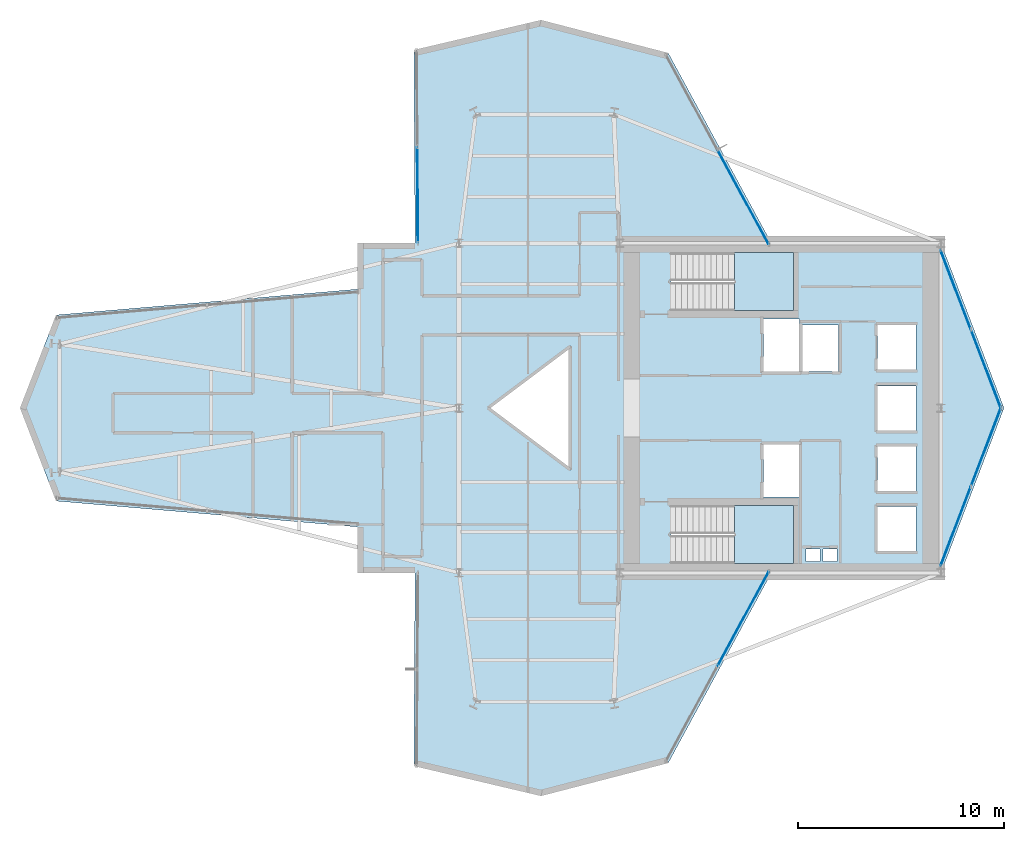
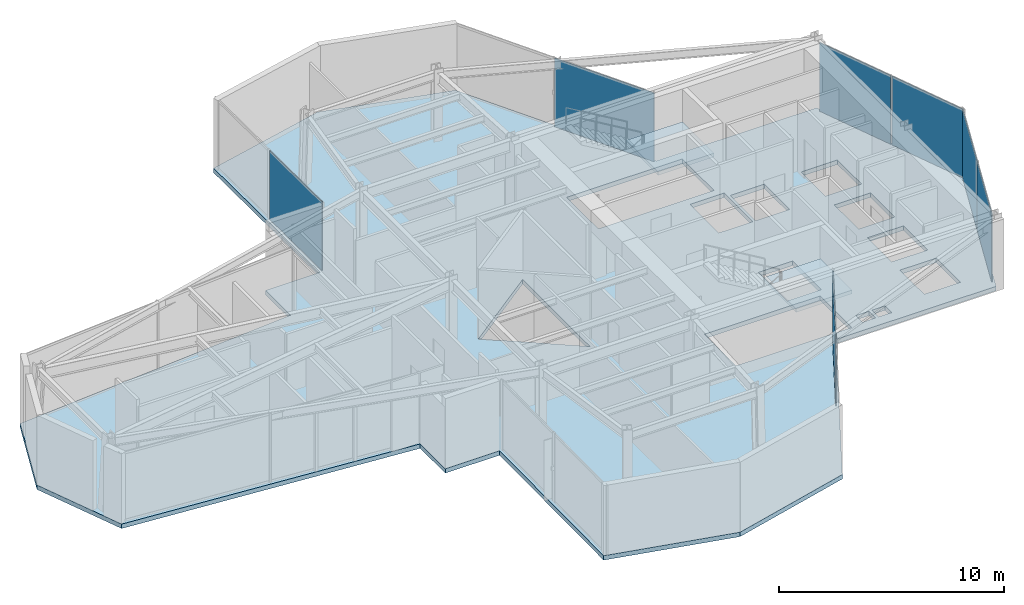
# One storey, part 21 of 26: 7 plates, 3 slabs, 7 elements without a shape of their own.
"""IFC4 building model written with IfcOpenShell, lengths in metres."""

from ifc_helpers import new_model, si_unit, direction, frame, origin, origin_2d, place, context, subcontext, project, spatial, polyline, rectangle, outline, extrude, material, layer, layer_set, type_object, element, aggregate, save


model = new_model("IFC4")

# Units and contexts
model_context = context("Model", 3, precision=1e-05, world=origin(), true_north=direction((0.0, 1.0)))
body_context = subcontext(model_context, "Body", "Model", "MODEL_VIEW")
ifc_project = project(units=[si_unit("LENGTHUNIT", "METRE"), si_unit("AREAUNIT", "SQUARE_METRE"), si_unit("VOLUMEUNIT", "CUBIC_METRE"), si_unit("PLANEANGLEUNIT", "RADIAN"), si_unit("MASSUNIT", "GRAM", prefix="KILO")], contexts=[model_context])

# Site, building, storey
site_placement = place(None, origin())
site = spatial("IfcSite", under=ifc_project, at=site_placement, CompositionType="ELEMENT")
building_placement = place(site_placement, origin())
building = spatial("IfcBuilding", under=site, at=building_placement, Name="Veymaron Broadcast Tower", CompositionType="ELEMENT")
storey_placement = place(building_placement, frame((0.0, 0.0, 157.35009765625)))
storey = spatial("IfcBuildingStorey", under=building, at=storey_placement, Name="L36", CompositionType="ELEMENT", Elevation=157.35009765625)

# Curtain wall, plates
ifc_material_1 = material(Name="Anodised aluminium AA 6063-T6 and laminated low-E dark glass", Category="aluminium")
ifc_layer_1 = layer(ifc_material_1, 0.179931640625)
ifc_layer_set_1 = layer_set([ifc_layer_1], Name="Anodised aluminium AA 6063-T6 and laminated low-E dark glass")
curtain_wall_type = type_object("IfcCurtainWallType", Name="CW-SYS-03", PredefinedType="NOTDEFINED", material=ifc_layer_set_1)
curtain_wall_1_placement = place(storey_placement, origin())
curtain_wall_1 = element("IfcCurtainWall", 1, at=curtain_wall_1_placement, inside=storey, type_object=curtain_wall_type, Name="L36 dark-glass curtain wall CW-L36-E2-1", PredefinedType="NOTDEFINED")
ifc_material_2 = material(Name="Insulated dark-anodised aluminium spandrel panel 40 mm", Category="aluminium")
ifc_layer_2 = layer(ifc_material_2, 0.0400390625)
ifc_layer_set_2 = layer_set([ifc_layer_2], Name="Insulated dark-anodised aluminium spandrel panel 40 mm")
plate_type = type_object("IfcPlateType", Name="CW-PNL-03", PredefinedType="CURTAIN_PANEL", material=ifc_layer_set_2)
plate_1_placement = place(storey_placement, frame((55.305908203125, 18.239013671875, 0.039794921875), z_axis=(0.0, 0.0, 1.0), x_axis=(0.35701516766, 0.934098586906, 0.0)))
plate_1 = element("IfcPlate", 2, at=plate_1_placement, type_object=plate_type, Name="CW-L36-E2-1 unitised curtain panel 0", PredefinedType="CURTAIN_PANEL", context=body_context, shape_type="SweptSolid", body=[
    extrude(rectangle(XDim=4.08740234375, YDim=0.0400390625, at=origin_2d()), origin(), (0.0, 0.0, 1.0), 3.72998046875),
])
plate_2_placement = place(storey_placement, frame((56.78662109375, 22.113037109375, 0.039794921875), z_axis=(0.0, 0.0, 1.0), x_axis=(0.35701516766, 0.934098586906, 0.0)))
plate_2 = element("IfcPlate", 3, at=plate_2_placement, type_object=plate_type, Name="CW-L36-E2-1 unitised curtain panel 1", PredefinedType="CURTAIN_PANEL", context=body_context, shape_type="SweptSolid", body=[
    extrude(rectangle(XDim=4.08740234375, YDim=0.0400390625, at=origin_2d()), origin(), (0.0, 0.0, 1.0), 3.72998046875),
])
aggregate(curtain_wall_1, [plate_1, plate_2])

curtain_wall_2_placement = place(storey_placement, origin())
curtain_wall_2 = element("IfcCurtainWall", 4, at=curtain_wall_2_placement, inside=storey, type_object=curtain_wall_type, Name="L36 dark-glass curtain wall CW-L36-E3-1", PredefinedType="NOTDEFINED")
plate_3_placement = place(storey_placement, frame((56.78662109375, 25.886962890625, 0.039794921875), z_axis=(0.0, 0.0, 1.0), x_axis=(-0.35701516766, 0.934098586906, 0.0)))
plate_3 = element("IfcPlate", 5, at=plate_3_placement, type_object=plate_type, Name="CW-L36-E3-1 unitised curtain panel 0", PredefinedType="CURTAIN_PANEL", context=body_context, shape_type="SweptSolid", body=[
    extrude(rectangle(XDim=4.08740234375, YDim=0.0400390625, at=origin_2d()), origin(), (0.0, 0.0, 1.0), 3.72998046875),
])
plate_4_placement = place(storey_placement, frame((55.305908203125, 29.760986328125, 0.039794921875), z_axis=(0.0, 0.0, 1.0), x_axis=(-0.35701516766, 0.934098586906, 0.0)))
plate_4 = element("IfcPlate", 6, at=plate_4_placement, type_object=plate_type, Name="CW-L36-E3-1 unitised curtain panel 1", PredefinedType="CURTAIN_PANEL", context=body_context, shape_type="SweptSolid", body=[
    extrude(rectangle(XDim=4.08740234375, YDim=0.0400390625, at=origin_2d()), origin(), (0.0, 0.0, 1.0), 3.72998046875),
])
aggregate(curtain_wall_2, [plate_3, plate_4])

# Curtain wall, plate
curtain_wall_3_placement = place(storey_placement, origin())
curtain_wall_3 = element("IfcCurtainWall", 7, at=curtain_wall_3_placement, inside=storey, type_object=curtain_wall_type, Name="L36 dark-glass curtain wall CW-L36-E5-1", PredefinedType="NOTDEFINED")
plate_5_placement = place(storey_placement, frame((44.991455078125, 34.239990234375, 0.039794921875), z_axis=(0.0, 0.0, 1.0), x_axis=(-0.476821283546, 0.879000263685, 0.0)))
plate_5 = element("IfcPlate", 8, at=plate_5_placement, type_object=plate_type, Name="CW-L36-E5-1 unitised curtain panel 0", PredefinedType="CURTAIN_PANEL", context=body_context, shape_type="SweptSolid", body=[
    extrude(rectangle(XDim=5.188720703125, YDim=0.0400390625, at=origin_2d()), origin(), (0.0, 0.0, 1.0), 3.72998046875),
])
aggregate(curtain_wall_3, [plate_5])

curtain_wall_4_placement = place(storey_placement, origin())
curtain_wall_4 = element("IfcCurtainWall", 9, at=curtain_wall_4_placement, inside=storey, type_object=curtain_wall_type, Name="L36 dark-glass curtain wall CW-L36-E8-1", PredefinedType="NOTDEFINED")
plate_6_placement = place(storey_placement, frame((29.18896484375, 34.34423828125, 0.039794921875), z_axis=(0.0, 0.0, 1.0), x_axis=(0.006824184408, -0.999976714982, 0.0)))
plate_6 = element("IfcPlate", 10, at=plate_6_placement, type_object=plate_type, Name="CW-L36-E8-1 unitised curtain panel 1", PredefinedType="CURTAIN_PANEL", context=body_context, shape_type="SweptSolid", body=[
    extrude(rectangle(XDim=4.62646484375, YDim=0.0400390625, at=origin_2d()), origin(), (0.0, 0.0, 1.0), 3.72998046875),
])
aggregate(curtain_wall_4, [plate_6])

curtain_wall_5_placement = place(storey_placement, origin())
curtain_wall_5 = element("IfcCurtainWall", 11, at=curtain_wall_5_placement, inside=storey, type_object=curtain_wall_type, Name="L36 dark-glass curtain wall CW-L36-E20-1", PredefinedType="NOTDEFINED")
plate_7_placement = place(storey_placement, frame((44.991455078125, 13.760009765625, 0.039794921875), z_axis=(0.0, 0.0, 1.0), x_axis=(0.476821283546, 0.879000263685, 0.0)))
plate_7 = element("IfcPlate", 12, at=plate_7_placement, type_object=plate_type, Name="CW-L36-E20-1 unitised curtain panel 1", PredefinedType="CURTAIN_PANEL", context=body_context, shape_type="SweptSolid", body=[
    extrude(rectangle(XDim=5.188720703125, YDim=0.0400390625, at=origin_2d()), origin(), (0.0, 0.0, 1.0), 3.72998046875),
])
aggregate(curtain_wall_5, [plate_7])

# Slab
ifc_material_3 = material(Name="Concrete C40/50", Category="concrete")
ifc_layer_3 = layer(ifc_material_3, 0.239990234375)
ifc_layer_set_3 = layer_set([ifc_layer_3], Name="Concrete C40/50")
slab_type_1 = type_object("IfcSlabType", Name="SLAB-FS6", PredefinedType="FLOOR", material=ifc_layer_set_3)
slab_1_placement = place(storey_placement, frame((0.0, 0.0, -0.239990234375)))
element("IfcSlab", 13, at=slab_1_placement, inside=storey, type_object=slab_type_1, Name="L36 structural floor slab", PredefinedType="FLOOR", context=body_context, shape_type="SweptSolid", body=[
    extrude(outline(polyline([(46.365966796875, 16.0), (54.60009765625, 16.0), (57.65771484375, 24.0), (54.60009765625, 32.0), (46.365966796875, 32.0), (41.360595703125, 41.227294921875), (35.180908203125, 42.828857421875), (29.0009765625, 41.372802734375), (29.06494140625, 32.0), (26.2705078125, 32.0), (26.2705078125, 29.770751953125), (11.639892578125, 28.51611328125), (9.892822265625, 24.0), (11.639892578125, 19.48388671875), (26.2705078125, 18.229248046875), (26.2705078125, 16.0), (29.06494140625, 16.0), (29.0009765625, 6.627197265625), (35.180908203125, 5.171142578125), (41.360595703125, 6.772705078125), (46.365966796875, 16.0)]), holes=[polyline([(45.969970703125, 28.330078125), (47.72998046875, 28.330078125), (47.72998046875, 25.77001953125), (45.969970703125, 25.77001953125), (45.969970703125, 28.330078125)]), polyline([(45.969970703125, 22.22998046875), (47.72998046875, 22.22998046875), (47.72998046875, 19.669921875), (45.969970703125, 19.669921875), (45.969970703125, 22.22998046875)]), polyline([(47.8701171875, 28.030029296875), (49.6298828125, 28.030029296875), (49.6298828125, 25.77001953125), (47.8701171875, 25.77001953125), (47.8701171875, 28.030029296875)]), polyline([(51.52001953125, 28.030029296875), (53.3798828125, 28.030029296875), (53.3798828125, 25.8701171875), (51.52001953125, 25.8701171875), (51.52001953125, 28.030029296875)]), polyline([(51.52001953125, 22.1298828125), (53.3798828125, 22.1298828125), (53.3798828125, 19.969970703125), (51.52001953125, 19.969970703125), (51.52001953125, 22.1298828125)]), polyline([(51.52001953125, 25.080078125), (53.3798828125, 25.080078125), (53.3798828125, 22.919921875), (51.52001953125, 22.919921875), (51.52001953125, 25.080078125)]), polyline([(51.52001953125, 19.22998046875), (53.3798828125, 19.22998046875), (53.3798828125, 17.070068359375), (51.52001953125, 17.070068359375), (51.52001953125, 19.22998046875)]), polyline([(48.050048828125, 17.159912109375), (48.719970703125, 17.159912109375), (48.719970703125, 16.56005859375), (48.050048828125, 16.56005859375), (48.050048828125, 17.159912109375)]), polyline([(48.8798828125, 17.159912109375), (49.550048828125, 17.159912109375), (49.550048828125, 16.56005859375), (48.8798828125, 16.56005859375), (48.8798828125, 17.159912109375)]), polyline([(36.60009765625, 27.0), (36.60009765625, 21.0), (32.60009765625, 24.0), (36.60009765625, 27.0)]), polyline([(41.489990234375, 31.550048828125), (47.43994140625, 31.550048828125), (47.43994140625, 28.72998046875), (41.489990234375, 28.72998046875), (41.489990234375, 31.550048828125)]), polyline([(41.489990234375, 19.27001953125), (47.43994140625, 19.27001953125), (47.43994140625, 16.449951171875), (41.489990234375, 16.449951171875), (41.489990234375, 19.27001953125)])]), origin(), (0.0, 0.0, 1.0), 0.239990234375),
])

# Stair, slab
ifc_material_4 = material(Name="Concrete C50/60", Category="concrete")
stair_type_1 = type_object("IfcStairType", Name="STAIR-CORE-1", PredefinedType="HALF_TURN_STAIR", material=ifc_material_4)
stair_1_placement = place(storey_placement, origin())
stair_1 = element("IfcStair", 14, at=stair_1_placement, inside=storey, type_object=stair_type_1, Name="L36 North protected dog-leg exit stair ST1", PredefinedType="HALF_TURN_STAIR")
ifc_layer_4 = layer(ifc_material_4, 0.199951171875)
ifc_layer_set_4 = layer_set([ifc_layer_4], Name="Concrete C50/60")
slab_type_2 = type_object("IfcSlabType", Name="SLAB-STAIR-LDG", PredefinedType="LANDING", material=ifc_layer_set_4)
slab_2_placement = place(storey_placement, frame((0.0, 0.0, 1.824951171875)))
slab_2 = element("IfcSlab", 15, at=slab_2_placement, type_object=slab_type_2, Name="ST1 landing 1", PredefinedType="LANDING", context=body_context, shape_type="SweptSolid", body=[
    extrude(outline(polyline([(44.56494140625, 28.72998046875), (47.43994140625, 28.72998046875), (47.43994140625, 31.550048828125), (44.56494140625, 31.550048828125), (44.56494140625, 28.72998046875)])), origin(), (0.0, 0.0, 1.0), 0.199951171875),
])
aggregate(stair_1, [slab_2])

stair_type_2 = type_object("IfcStairType", Name="STAIR-CORE-2", PredefinedType="HALF_TURN_STAIR", material=ifc_material_4)
stair_2_placement = place(storey_placement, origin())
stair_2 = element("IfcStair", 16, at=stair_2_placement, inside=storey, type_object=stair_type_2, Name="L36 South protected dog-leg exit stair ST2", PredefinedType="HALF_TURN_STAIR")
slab_3_placement = place(storey_placement, frame((0.0, 0.0, 1.824951171875)))
slab_3 = element("IfcSlab", 17, at=slab_3_placement, type_object=slab_type_2, Name="ST2 landing 1", PredefinedType="LANDING", context=body_context, shape_type="SweptSolid", body=[
    extrude(outline(polyline([(44.56494140625, 16.449951171875), (47.43994140625, 16.449951171875), (47.43994140625, 19.27001953125), (44.56494140625, 19.27001953125), (44.56494140625, 16.449951171875)])), origin(), (0.0, 0.0, 1.0), 0.199951171875),
])
aggregate(stair_2, [slab_3])

save(model, "model.ifc")
